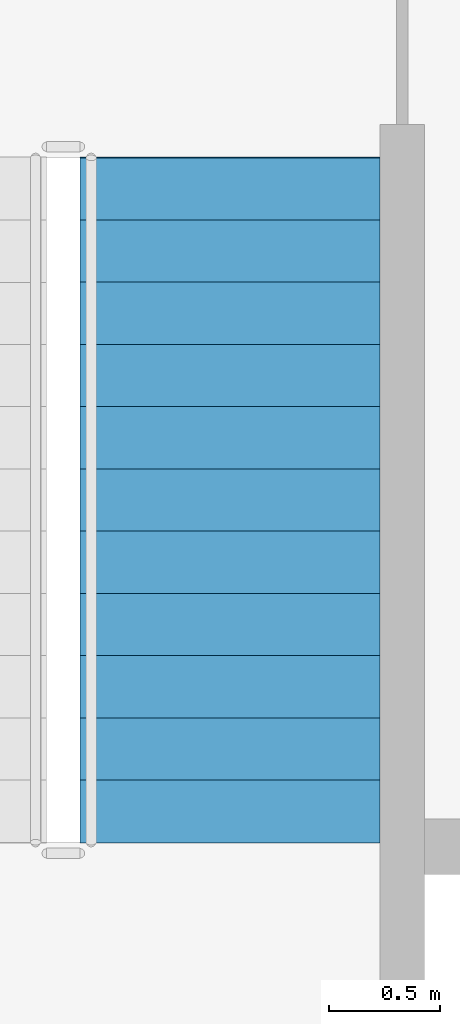
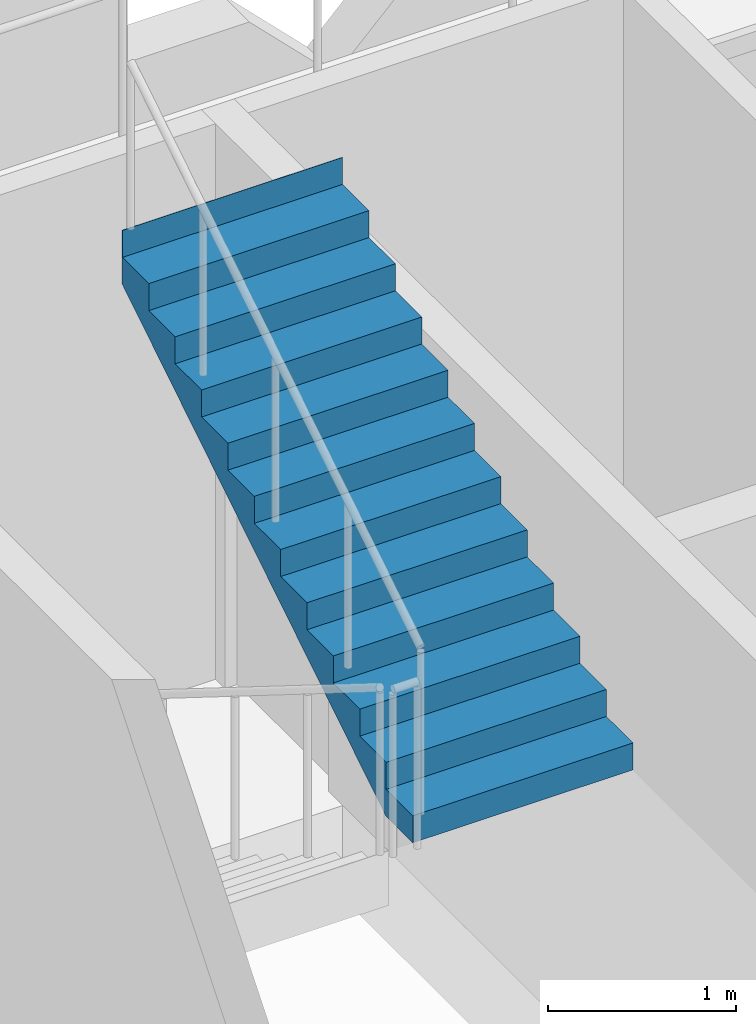
# One storey, part 15 of 22: 1 stair flight, 1 element without a shape of its own.
"""IFC4 building model written with IfcOpenShell, lengths in metres."""

from ifc_helpers import new_model, si_unit, direction, frame, origin, place, context, subcontext, project, spatial, polyline, outline, extrude, material, type_object, element, aggregate, save


model = new_model("IFC4")

# Units and contexts
model_context = context("Model", 3, precision=1e-05, world=origin(), true_north=direction((0.0, 1.0)))
body_context = subcontext(model_context, "Body", "Model", "MODEL_VIEW")
ifc_project = project(units=[si_unit("LENGTHUNIT", "METRE"), si_unit("AREAUNIT", "SQUARE_METRE"), si_unit("VOLUMEUNIT", "CUBIC_METRE"), si_unit("PLANEANGLEUNIT", "RADIAN"), si_unit("MASSUNIT", "GRAM", prefix="KILO")], contexts=[model_context])

# Site, building, storey
site_placement = place(None, origin())
site = spatial("IfcSite", under=ifc_project, at=site_placement, CompositionType="ELEMENT")
building_placement = place(site_placement, origin())
building = spatial("IfcBuilding", under=site, at=building_placement, Name="Kawkab Arch Medical Tower", CompositionType="ELEMENT")
storey_placement = place(building_placement, frame((0.0, 0.0, 171.0)))
storey = spatial("IfcBuildingStorey", under=building, at=storey_placement, Name="L39", CompositionType="ELEMENT", Elevation=171.0)

# Stair, stair flight
ifc_material_1 = material(Name="Concrete C40/50", Category="concrete")
stair_type = type_object("IfcStairType", Name="Exit stair 1350", PredefinedType="HALF_TURN_STAIR", material=ifc_material_1)
stair_placement = place(storey_placement, origin())
stair = element("IfcStair", 1, at=stair_placement, inside=storey, type_object=stair_type, Name="L39 Exit stair ST5", PredefinedType="HALF_TURN_STAIR")
ifc_material_2 = material(Name="Concrete C40/50", Category="concrete")
stair_flight_type = type_object("IfcStairFlightType", Name="Exit stair flight 1350", PredefinedType="STRAIGHT", material=ifc_material_2)
stair_flight_placement = place(storey_placement, frame((45.27490234375, -4.8798828125, 2.10009765625), z_axis=(0.0, 0.0, 1.0), x_axis=(0.0, 1.0, 0.0)))
stair_flight = element("IfcStairFlight", 2, at=stair_flight_placement, type_object=stair_flight_type, Name="ST5 flight 2", NumberOfRisers=12, NumberOfTreads=11, PredefinedType="STRAIGHT", RiserHeight=0.175, TreadLength=0.28, context=body_context, shape_type="SweptSolid", body=[
    extrude(outline(polyline([(-0.0029296875, 0.0), (-0.0029296875, 0.175048828125), (0.0, 0.175048828125), (0.280029296875, 0.175048828125), (0.280029296875, 0.35009765625), (0.56005859375, 0.35009765625), (0.56005859375, 0.52490234375), (0.840087890625, 0.52490234375), (0.840087890625, 0.699951171875), (1.1201171875, 0.699951171875), (1.1201171875, 0.875), (1.39990234375, 0.875), (1.39990234375, 1.050048828125), (1.679931640625, 1.050048828125), (1.679931640625, 1.22509765625), (1.9599609375, 1.22509765625), (1.9599609375, 1.39990234375), (2.239990234375, 1.39990234375), (2.239990234375, 1.574951171875), (2.52001953125, 1.574951171875), (2.52001953125, 1.75), (2.800048828125, 1.75), (2.800048828125, 1.925048828125), (3.080078125, 1.925048828125), (3.080078125, 2.10009765625), (3.0830078125, 2.10009765625), (3.0830078125, 1.748291015625), (3.080078125, 1.748291015625), (0.28271484375, 0.0), (-0.0029296875, 0.0)])), frame((0.0, 0.675048828125, 0.0), z_axis=(0.0, -1.0, 0.0), x_axis=(1.0, 0.0, 0.0)), (0.0, 0.0, 1.0), 1.35009765625),
])
aggregate(stair, [stair_flight])

save(model, "model.ifc")
